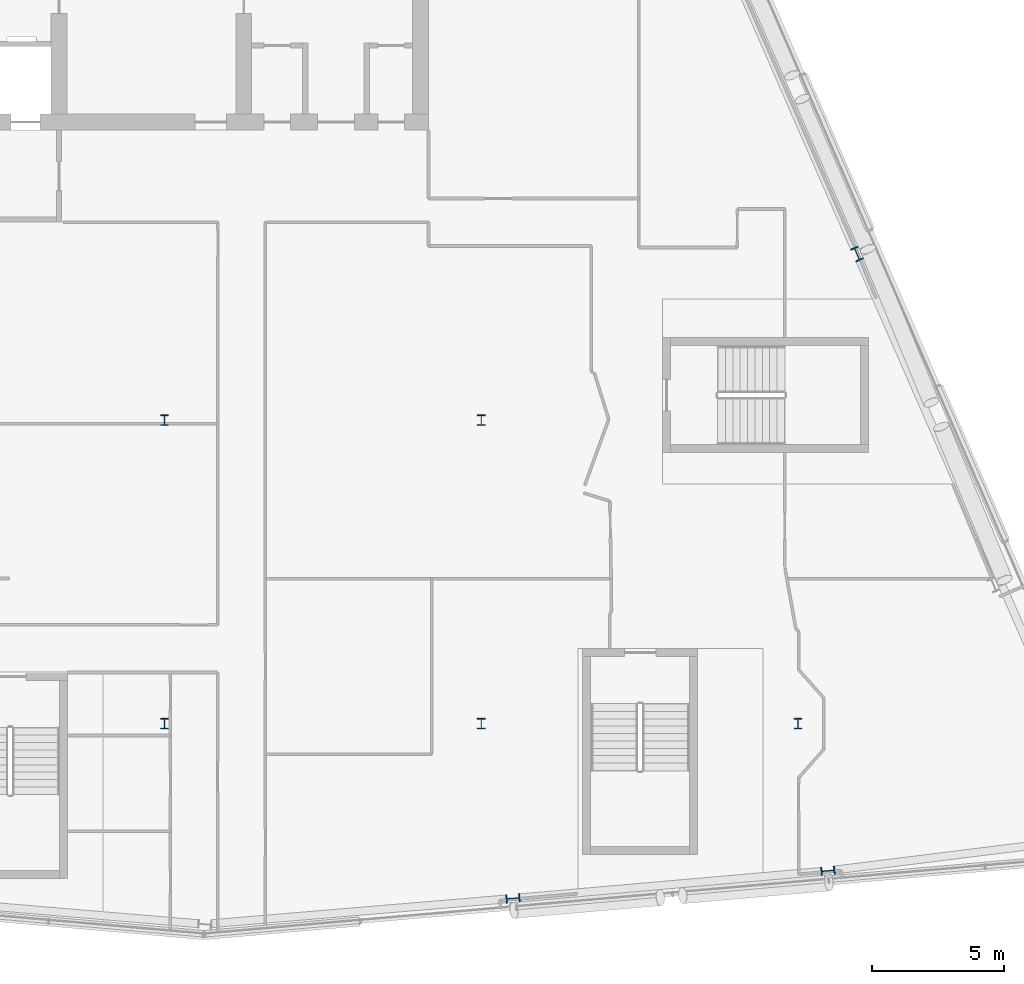
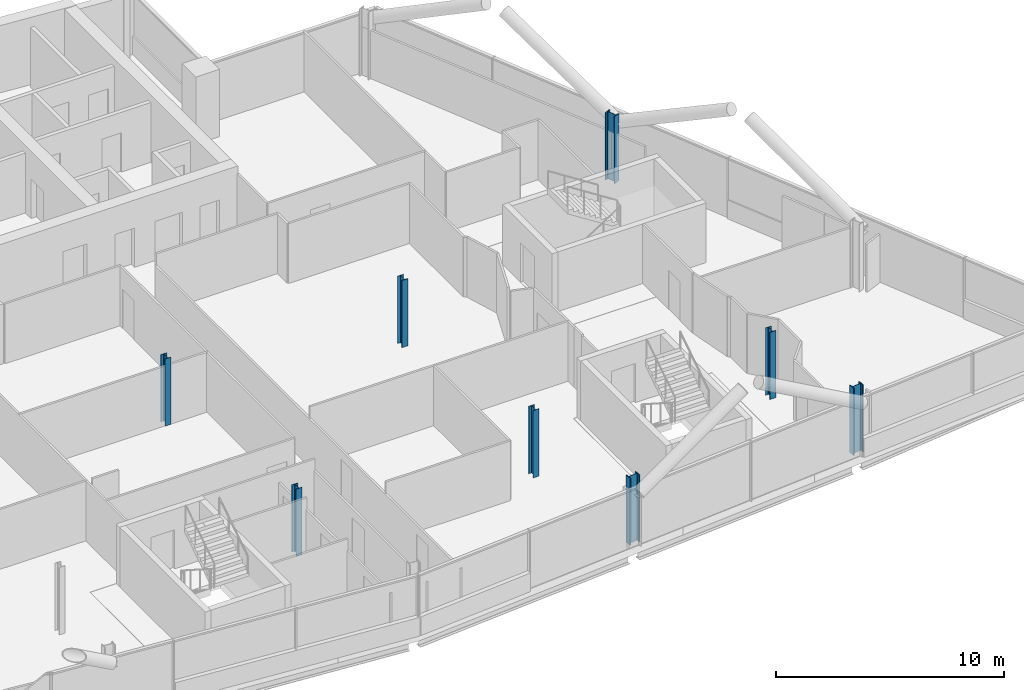
# One storey, part 2 of 28: 8 columns.
"""IFC4 building model written with IfcOpenShell, lengths in metres."""

from ifc_helpers import new_model, si_unit, direction, frame, origin, origin_2d, place, context, subcontext, project, spatial, i_section, extrude, material, material_profile, profile_set, type_object, element, save


model = new_model("IFC4")

# Units and contexts
model_context = context("Model", 3, precision=1e-05, world=origin(), true_north=direction((0.0, 1.0)))
body_context = subcontext(model_context, "Body", "Model", "MODEL_VIEW")
ifc_project = project(units=[si_unit("LENGTHUNIT", "METRE"), si_unit("AREAUNIT", "SQUARE_METRE"), si_unit("VOLUMEUNIT", "CUBIC_METRE"), si_unit("PLANEANGLEUNIT", "RADIAN"), si_unit("MASSUNIT", "GRAM", prefix="KILO")], contexts=[model_context])

# Site, building, storey
site_placement = place(None, origin())
site = spatial("IfcSite", under=ifc_project, at=site_placement, CompositionType="ELEMENT")
building_placement = place(site_placement, origin())
building = spatial("IfcBuilding", under=site, at=building_placement, Name="Wharfspan Tower", CompositionType="ELEMENT")
storey_placement = place(building_placement, frame((0.0, 0.0, 250.300049)))
storey = spatial("IfcBuildingStorey", under=building, at=storey_placement, Name="L63", CompositionType="ELEMENT", Elevation=250.300049)

# Columns
ifc_material = material(Name="Steel S355J2", Category="steel")
ifc_material_profile_1 = material_profile(ifc_material, i_section(OverallWidth=0.300049, OverallDepth=0.399902, WebThickness=0.013428, FlangeThickness=0.023926, FilletRadius=0.0271, at=origin_2d()))
ifc_profile_set_1 = profile_set([ifc_material_profile_1], Name="Steel S355J2")
column_type_1 = type_object("IfcColumnType", Name="Column HEB 400", PredefinedType="COLUMN", material=ifc_profile_set_1)
for number, where, z_axis, x_axis, name in (
    (1, (48.0, 11.5, 0.0), (0.0, 0.0, 1.0), (1.0, 0.0, 0.0), "Interior column I.1.3 L63"),
    (2, (60.0, 11.5, 0.0), (0.0, 0.0, 1.0), (1.0, 0.0, 0.0), "Interior column I.1.4 L63"),
    (3, (72.0, 11.5, 0.0), (0.0, 0.0, 1.0), (1.0, 0.0, 0.0), "Interior column I.1.5 L63"),
    (4, (48.0, 23.0, 0.0), (0.0, 0.0, 1.0), (1.0, 0.0, 0.0), "Interior column I.2.3 L63"),
    (5, (60.0, 23.0, 0.0), (0.0, 0.0, 1.0), (1.0, 0.0, 0.0), "Interior column I.2.4 L63"),
):
    element("IfcColumn", number, at=place(storey_placement, frame(where, z_axis=z_axis, x_axis=x_axis)), inside=storey, type_object=column_type_1, Name=name, PredefinedType="COLUMN", context=body_context, shape_type="SweptSolid", body=[
        extrude(i_section(OverallWidth=0.300049, OverallDepth=0.399902, WebThickness=0.013428, FlangeThickness=0.023926, FilletRadius=0.0271, at=origin_2d()), origin(), (0.0, 0.0, 1.0), 3.599854),
    ])
ifc_material_profile_2 = material_profile(ifc_material, i_section(OverallWidth=0.305908, OverallDepth=0.523926, WebThickness=0.020996, FlangeThickness=0.040039, FilletRadius=0.0271, at=origin_2d()))
ifc_profile_set_2 = profile_set([ifc_material_profile_2], Name="Steel S355J2")
column_type_2 = type_object("IfcColumnType", Name="Column HEM 500", PredefinedType="COLUMN", material=ifc_profile_set_2)
for number, where, z_axis, x_axis, name in (
    (6, (61.202393, 4.879395, 0.0), (0.0, 0.0, 1.0), (0.087156, -0.996197, 0.0), "Perimeter column PS2.1 L63"),
    (7, (73.135254, 5.92334, 0.0), (0.0, 0.0, 1.0), (0.087156, -0.996197, 0.0), "Perimeter column PS2.2 L63"),
    (8, (74.235352, 29.294922, 0.0), (0.0, 0.0, 1.0), (0.917072, 0.398727, 0.0), "Perimeter column PE.2 L63"),
):
    element("IfcColumn", number, at=place(storey_placement, frame(where, z_axis=z_axis, x_axis=x_axis)), inside=storey, type_object=column_type_2, Name=name, PredefinedType="COLUMN", context=body_context, shape_type="SweptSolid", body=[
        extrude(i_section(OverallWidth=0.305908, OverallDepth=0.523926, WebThickness=0.020996, FlangeThickness=0.040039, FilletRadius=0.0271, at=origin_2d()), origin(), (0.0, 0.0, 1.0), 3.599854),
    ])

save(model, "model.ifc")
